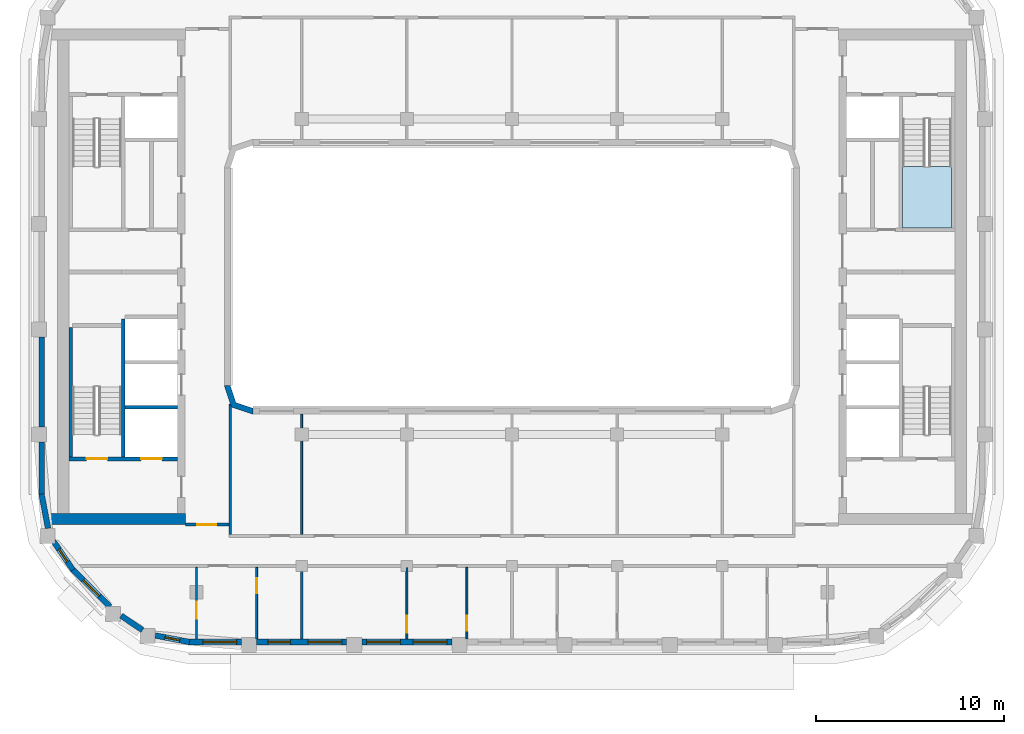
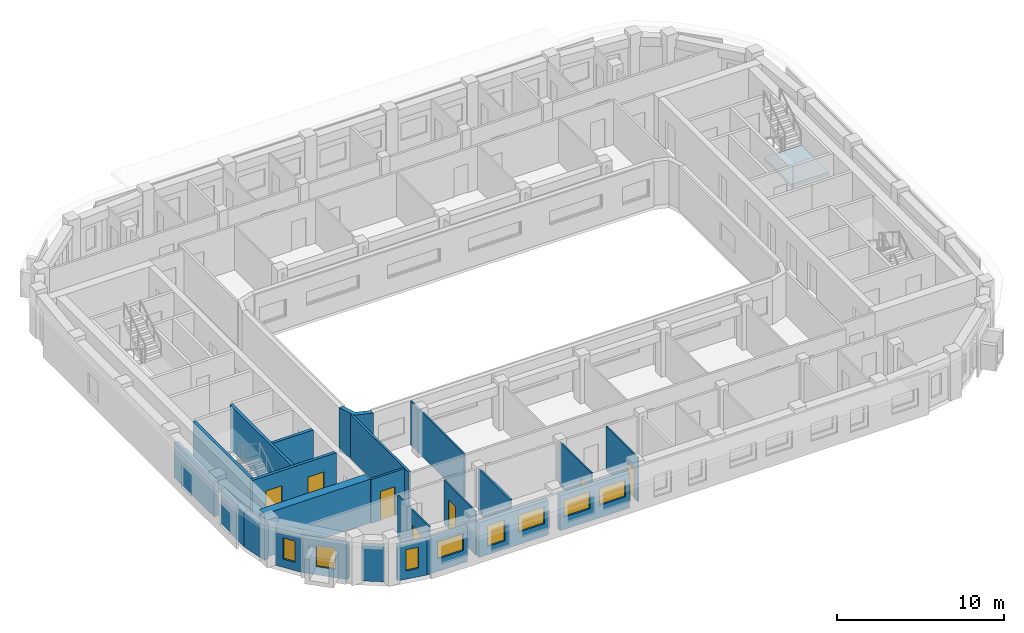
# One storey, part 2 of 15: 24 walls, 8 windows, 7 doors, 1 slab, 15 openings, 1 element without a shape of its own.
"""IFC4 building model written with IfcOpenShell, lengths in metres."""

from ifc_helpers import new_model, si_unit, direction, frame, frame_2d, origin, place, context, subcontext, project, spatial, polyline, rectangle, outline, extrude, material, layer, layer_set, type_object, element, fill, aggregate, save


model = new_model("IFC4")

# Units and contexts
model_context = context("Model", 3, precision=1e-05, world=origin(), true_north=direction((0.0, 1.0)))
body_context = subcontext(model_context, "Body", "Model", "MODEL_VIEW")
ifc_project = project(units=[si_unit("LENGTHUNIT", "METRE"), si_unit("AREAUNIT", "SQUARE_METRE"), si_unit("VOLUMEUNIT", "CUBIC_METRE"), si_unit("PLANEANGLEUNIT", "RADIAN"), si_unit("MASSUNIT", "GRAM", prefix="KILO")], contexts=[model_context])

# Site, building, storey
site_placement = place(None, origin())
site = spatial("IfcSite", under=ifc_project, at=site_placement, CompositionType="ELEMENT")
building_placement = place(site_placement, origin())
building = spatial("IfcBuilding", under=site, at=building_placement, Name="Kiln Ring Residences", CompositionType="ELEMENT")
storey_placement = place(building_placement, frame((0.0, 0.0, 252.199951171875)))
storey = spatial("IfcBuildingStorey", under=building, at=storey_placement, Name="L65", CompositionType="ELEMENT", Elevation=252.199951171875)

# Stair, slab
ifc_material_1 = material(Name="Concrete C40/50", Category="concrete")
stair_type = type_object("IfcStairType", Name="CORE-STAIR", PredefinedType="HALF_TURN_STAIR", material=ifc_material_1)
placement = place(storey_placement, origin())
stair = element("IfcStair", 1, at=placement, inside=storey, type_object=stair_type, Name="L65 stair E-STN", PredefinedType="HALF_TURN_STAIR")
ifc_material_2 = material(Name="Concrete C40/50", Category="concrete")
ifc_layer_1 = layer(ifc_material_2, 0.199951171875)
ifc_layer_set_1 = layer_set([ifc_layer_1], Name="CORE-STAIR-LANDING")
slab_type = type_object("IfcSlabType", Name="CORE-STAIR-LANDING", PredefinedType="LANDING", material=ifc_layer_set_1)
slab_placement = place(storey_placement, frame((0.0, 0.0, 1.550048828125)))
slab = element("IfcSlab", 2, at=slab_placement, type_object=slab_type, Name="E-STN landing 1", PredefinedType="LANDING", context=body_context, shape_type="SweptSolid", body=[
    extrude(outline(polyline([(20.800048828125, 5.8798828125), (20.800048828125, 2.60009765625), (23.39990234375, 2.60009765625), (23.39990234375, 5.8798828125), (20.800048828125, 5.8798828125)])), origin(), (0.0, 0.0, 1.0), 0.199951171875),
])
aggregate(stair, [slab])

# Walls
ifc_material_3 = material(Name="Gypsum shaft wall system")
ifc_layer_2 = layer(ifc_material_3, 0.199951171875)
ifc_layer_set_2 = layer_set([ifc_layer_2], Name="CORE-SHAFT-WALL-200")
wall_type_1 = type_object("IfcWallType", Name="CORE-SHAFT-WALL-200", PredefinedType="PARTITIONING", material=ifc_layer_set_2)
wall_1_placement = place(storey_placement, frame((-17.800048828125, -6.949951171875, 0.0), z_axis=(0.0, 0.0, 1.0), x_axis=(-1.0, 0.0, 0.0)))
element("IfcWall", 3, at=wall_1_placement, inside=storey, type_object=wall_type_1, Name="Core partition west L65 3", PredefinedType="PARTITIONING", context=body_context, shape_type="SweptSolid", body=[
    extrude(rectangle(XDim=2.800048828125, YDim=0.199951171875, at=frame_2d((1.39990234375, 0.0))), origin(), (0.0, 0.0, 1.0), 3.199951171875),
])
ifc_material_4 = material(Name="Concrete C40/50", Category="concrete")
ifc_layer_3 = layer(ifc_material_4, 0.199951171875)
ifc_layer_set_3 = layer_set([ifc_layer_3], Name="CORE-WALL-RC200")
wall_type_2 = type_object("IfcWallType", Name="CORE-WALL-RC200", PredefinedType="SHEAR", material=ifc_layer_set_3)
wall_2_placement = place(storey_placement, frame((-20.699951171875, -9.60009765625, 0.0), z_axis=(0.0, 0.0, 1.0), x_axis=(0.0, 1.0, 0.0)))
element("IfcWall", 4, at=wall_2_placement, inside=storey, type_object=wall_type_2, Name="Core wall west L65 2", PredefinedType="SHEAR", context=body_context, shape_type="SweptSolid", body=[
    extrude(rectangle(XDim=7.35009765625, YDim=0.199951171875, at=frame_2d((3.675048828125, 0.0))), origin(), (0.0, 0.0, 1.0), 3.199951171875),
])

# Wall, openings, doors
wall_3_placement = place(storey_placement, frame((-17.800048828125, -9.699951171875, 0.0), z_axis=(0.0, 0.0, 1.0), x_axis=(-1.0, 0.0, 0.0)))
wall_3 = element("IfcWall", 5, at=wall_3_placement, inside=storey, type_object=wall_type_2, Name="Core wall west L65 8", PredefinedType="SHEAR", context=body_context, shape_type="SweptSolid", body=[
    extrude(rectangle(XDim=5.800048828125, YDim=0.199951171875, at=frame_2d((2.89990234375, 0.0))), origin(), (0.0, 0.0, 1.0), 3.199951171875),
])
opening_1_placement = place(wall_3_placement, frame((0.85009765625, 0.0, 0.0)))
opening_1 = element("IfcOpeningElement", 6, at=opening_1_placement, cuts=wall_3, Name="Opening L65-CW01", PredefinedType="OPENING", context=body_context, shape_type="SweptSolid", body=[
    extrude(rectangle(XDim=1.10009765625, YDim=2.10009765625, at=frame_2d((0.550048828125, 1.050048828125))), frame((0.0, 0.10986328125, 0.0), z_axis=(0.0, -1.0, 0.0), x_axis=(1.0, 0.0, 0.0)), (0.0, 0.0, 1.0), 0.219970703125),
])
opening_2_placement = place(wall_3_placement, frame((3.75, 0.0, 0.0)))
opening_2 = element("IfcOpeningElement", 7, at=opening_2_placement, cuts=wall_3, Name="Opening L65-CW11", PredefinedType="OPENING", context=body_context, shape_type="SweptSolid", body=[
    extrude(rectangle(XDim=1.10009765625, YDim=2.10009765625, at=frame_2d((0.550048828125, 1.050048828125))), frame((0.0, 0.10986328125, 0.0), z_axis=(0.0, -1.0, 0.0), x_axis=(1.0, 0.0, 0.0)), (0.0, 0.0, 1.0), 0.219970703125),
])
ifc_material_5 = material(Name="Steel door leaf", Category="steel")
door_type_1 = type_object("IfcDoorType", Name="CORE-DOOR-LD", OperationType="DOUBLE_DOOR_SLIDING", PredefinedType="DOOR", material=ifc_material_5)
door_1_placement = place(opening_1_placement, origin())
door_1 = element("IfcDoor", 8, at=door_1_placement, inside=storey, type_object=door_type_1, Name="LD W-SV L65-CW01", OperationType="DOUBLE_DOOR_SLIDING", OverallHeight=2.10009765625, OverallWidth=1.10009765625, PredefinedType="DOOR", context=body_context, shape_type="SweptSolid", body=[
    extrude(rectangle(XDim=1.10009765625, YDim=2.10009765625, at=frame_2d((0.550048828125, 1.050048828125))), frame((0.0, 0.02490234375, 0.0), z_axis=(0.0, -1.0, 0.0), x_axis=(1.0, 0.0, 0.0)), (0.0, 0.0, 1.0), 0.050048828125),
])
fill(opening_1, door_1)
ifc_material_6 = material(Name="Steel door leaf", Category="steel")
door_type_2 = type_object("IfcDoorType", Name="CORE-DOOR-STAIR", OperationType="SINGLE_SWING_LEFT", PredefinedType="DOOR", material=ifc_material_6)
door_2_placement = place(opening_2_placement, origin())
door_2 = element("IfcDoor", 9, at=door_2_placement, inside=storey, type_object=door_type_2, Name="Stair W-STS L65-CW11", OperationType="SINGLE_SWING_RIGHT", OverallHeight=2.10009765625, OverallWidth=1.10009765625, PredefinedType="DOOR", context=body_context, shape_type="SweptSolid", body=[
    extrude(rectangle(XDim=1.10009765625, YDim=2.10009765625, at=frame_2d((0.550048828125, 1.050048828125))), frame((0.0, 0.02490234375, 0.0), z_axis=(0.0, -1.0, 0.0), x_axis=(1.0, 0.0, 0.0)), (0.0, 0.0, 1.0), 0.050048828125),
])
fill(opening_2, door_2)

# Walls
wall_4_placement = place(storey_placement, frame((-23.5, -9.60009765625, 0.0), z_axis=(0.0, 0.0, 1.0), x_axis=(0.0, 1.0, 0.0)))
element("IfcWall", 10, at=wall_4_placement, inside=storey, type_object=wall_type_2, Name="Core wall west L65 11", PredefinedType="SHEAR", context=body_context, shape_type="SweptSolid", body=[
    extrude(rectangle(XDim=6.900146484375, YDim=0.199951171875, at=frame_2d((3.4501953125, 0.0))), origin(), (0.0, 0.0, 1.0), 3.199951171875),
])
ifc_material_7 = material(Name="Concrete C60/75", Category="concrete")
ifc_layer_4 = layer(ifc_material_7, 0.60009765625)
ifc_layer_set_4 = layer_set([ifc_layer_4], Name="CORE-WALL-RC600")
wall_type_3 = type_object("IfcWallType", Name="CORE-WALL-RC600", PredefinedType="SHEAR", material=ifc_layer_set_4)
wall_5_placement = place(storey_placement, frame((-17.39990234375, -12.89990234375, 0.0), z_axis=(0.0, 0.0, 1.0), x_axis=(-1.0, 0.0, 0.0)))
element("IfcWall", 11, at=wall_5_placement, inside=storey, type_object=wall_type_3, Name="Core wall west L65 5", PredefinedType="SHEAR", context=body_context, shape_type="SweptSolid", body=[
    extrude(rectangle(XDim=7.320068359375, YDim=0.60009765625, at=frame_2d((3.66015625, 0.0))), origin(), (0.0, 0.0, 1.0), 3.199951171875),
])

# Wall, opening, window
ifc_material_8 = material(Name="Brick masonry, dark clay brick", Category="masonry")
ifc_layer_5 = layer(ifc_material_8, 0.300048828125)
ifc_layer_set_5 = layer_set([ifc_layer_5], Name="EW-300 BRICK WALL")
wall_type_4 = type_object("IfcWallType", Name="EW-300 BRICK WALL", PredefinedType="SOLIDWALL", material=ifc_layer_set_5)
wall_6_placement = place(storey_placement, frame((-23.39697265625, -15.591064453125, 0.0), z_axis=(0.0, 0.0, 1.0), x_axis=(0.707150377276, -0.707063182409, 0.0)))
wall_6 = element("IfcWall", 12, at=wall_6_placement, inside=storey, type_object=wall_type_4, Name="Facade wall L65 1", PredefinedType="SOLIDWALL", context=body_context, shape_type="SweptSolid", body=[
    extrude(rectangle(XDim=2.800048828125, YDim=0.300048828125, at=frame_2d((1.39990234375, 0.0))), origin(), (0.0, 0.0, 1.0), 2.550048828125),
])
opening_3_placement = place(wall_6_placement, frame((0.800048828125, 0.0, 0.60009765625)))
opening_3 = element("IfcOpeningElement", 13, at=opening_3_placement, cuts=wall_6, Name="Opening W1", PredefinedType="OPENING", context=body_context, shape_type="SweptSolid", body=[
    extrude(rectangle(XDim=1.199951171875, YDim=1.550048828125, at=frame_2d((0.60009765625, 0.77490234375))), frame((0.0, 0.159912109375, 0.0), z_axis=(0.0, -1.0, 0.0), x_axis=(1.0, 0.0, 0.0)), (0.0, 0.0, 1.0), 0.320068359375),
])
ifc_material_9 = material(Name="Aluminium frame with double glazing", Category="aluminium")
window_type_1 = type_object("IfcWindowType", Name="WINDOW 1200 x 1550", PartitioningType="SINGLE_PANEL", PredefinedType="WINDOW", material=ifc_material_9)
window_1_placement = place(opening_3_placement, origin())
window_1 = element("IfcWindow", 14, at=window_1_placement, inside=storey, type_object=window_type_1, Name="Window L65 1", OverallHeight=1.550048828125, OverallWidth=1.199951171875, PartitioningType="SINGLE_PANEL", PredefinedType="WINDOW", context=body_context, shape_type="SweptSolid", body=[
    extrude(rectangle(XDim=1.199951171875, YDim=1.550048828125, at=frame_2d((0.60009765625, 0.77490234375))), frame((0.0, 0.030029296875, 0.0), z_axis=(0.0, -1.0, 0.0), x_axis=(1.0, 0.0, 0.0)), (0.0, 0.0, 1.0), 0.06005859375),
])
fill(opening_3, window_1)

# Wall
wall_7_placement = place(storey_placement, frame((-20.816650390625, -18.048095703125, 0.0), z_axis=(0.0, 0.0, 1.0), x_axis=(0.827025410886, -0.562164539747, 0.0)))
element("IfcWall", 15, at=wall_7_placement, inside=storey, type_object=wall_type_4, Name="Facade wall L65 2", PredefinedType="SOLIDWALL", context=body_context, shape_type="SweptSolid", body=[
    extrude(rectangle(XDim=1.377197265625, YDim=0.300048828125, at=frame_2d((0.6884765625, 0.0))), origin(), (0.0, 0.0, 1.0), 2.550048828125),
])

# Wall, opening, window
wall_8_placement = place(storey_placement, frame((-18.9951171875, -19.10498046875, 0.0), z_axis=(0.0, 0.0, 1.0), x_axis=(0.982301706131, -0.187305520826, 0.0)))
wall_8 = element("IfcWall", 16, at=wall_8_placement, inside=storey, type_object=wall_type_4, Name="Facade wall L65 3", PredefinedType="SOLIDWALL", context=body_context, shape_type="SweptSolid", body=[
    extrude(rectangle(XDim=1.856201171875, YDim=0.300048828125, at=frame_2d((0.92822265625, 0.0))), origin(), (0.0, 0.0, 1.0), 2.550048828125),
])
opening_4_placement = place(wall_8_placement, frame((0.528076171875, 0.0, 0.60009765625)))
opening_4 = element("IfcOpeningElement", 17, at=opening_4_placement, cuts=wall_8, Name="Opening W5", PredefinedType="OPENING", context=body_context, shape_type="SweptSolid", body=[
    extrude(rectangle(XDim=0.800048828125, YDim=1.550048828125, at=frame_2d((0.39990234375, 0.77490234375))), frame((0.0, 0.159912109375, 0.0), z_axis=(0.0, -1.0, 0.0), x_axis=(1.0, 0.0, 0.0)), (0.0, 0.0, 1.0), 0.320068359375),
])
ifc_material_10 = material(Name="Aluminium frame with double glazing", Category="aluminium")
window_type_2 = type_object("IfcWindowType", Name="WINDOW 800 x 1550", PartitioningType="SINGLE_PANEL", PredefinedType="WINDOW", material=ifc_material_10)
window_2_placement = place(opening_4_placement, origin())
window_2 = element("IfcWindow", 18, at=window_2_placement, inside=storey, type_object=window_type_2, Name="Window L65 2", OverallHeight=1.550048828125, OverallWidth=0.800048828125, PartitioningType="SINGLE_PANEL", PredefinedType="WINDOW", context=body_context, shape_type="SweptSolid", body=[
    extrude(rectangle(XDim=0.800048828125, YDim=1.550048828125, at=frame_2d((0.39990234375, 0.77490234375))), frame((0.0, 0.030029296875, 0.0), z_axis=(0.0, -1.0, 0.0), x_axis=(1.0, 0.0, 0.0)), (0.0, 0.0, 1.0), 0.06005859375),
])
fill(opening_4, window_2)

wall_9_placement = place(storey_placement, frame((-17.199951171875, -19.449951171875, 0.0), z_axis=(0.0, 0.0, 1.0), x_axis=(1.0, 0.0, 0.0)))
wall_9 = element("IfcWall", 19, at=wall_9_placement, inside=storey, type_object=wall_type_4, Name="Facade wall L65 4", PredefinedType="SOLIDWALL", context=body_context, shape_type="SweptSolid", body=[
    extrude(rectangle(XDim=2.800048828125, YDim=0.300048828125, at=frame_2d((1.39990234375, 0.0))), origin(), (0.0, 0.0, 1.0), 2.550048828125),
])
opening_5_placement = place(wall_9_placement, frame((0.737548828125, 0.0, 0.89990234375)))
opening_5 = element("IfcOpeningElement", 20, at=opening_5_placement, cuts=wall_9, Name="Opening W2", PredefinedType="OPENING", context=body_context, shape_type="SweptSolid", body=[
    extrude(rectangle(XDim=1.800048828125, YDim=1.25, at=frame_2d((0.89990234375, 0.625))), frame((0.0, 0.159912109375, 0.0), z_axis=(0.0, -1.0, 0.0), x_axis=(1.0, 0.0, 0.0)), (0.0, 0.0, 1.0), 0.320068359375),
])
ifc_material_11 = material(Name="Aluminium frame with double glazing", Category="aluminium")
window_type_3 = type_object("IfcWindowType", Name="WINDOW 1800 x 1250", PartitioningType="SINGLE_PANEL", PredefinedType="WINDOW", material=ifc_material_11)
window_3_placement = place(opening_5_placement, origin())
window_3 = element("IfcWindow", 21, at=window_3_placement, inside=storey, type_object=window_type_3, Name="Window L65 3", OverallHeight=1.25, OverallWidth=1.800048828125, PartitioningType="SINGLE_PANEL", PredefinedType="WINDOW", context=body_context, shape_type="SweptSolid", body=[
    extrude(rectangle(XDim=1.800048828125, YDim=1.25, at=frame_2d((0.89990234375, 0.625))), frame((0.0, 0.030029296875, 0.0), z_axis=(0.0, -1.0, 0.0), x_axis=(1.0, 0.0, 0.0)), (0.0, 0.0, 1.0), 0.06005859375),
])
fill(opening_5, window_3)

# Wall, openings, windows
wall_10_placement = place(storey_placement, frame((-13.60009765625, -19.449951171875, 0.0), z_axis=(0.0, 0.0, 1.0), x_axis=(1.0, 0.0, 0.0)))
wall_10 = element("IfcWall", 22, at=wall_10_placement, inside=storey, type_object=wall_type_4, Name="Facade wall L65 5", PredefinedType="SOLIDWALL", context=body_context, shape_type="SweptSolid", body=[
    extrude(rectangle(XDim=4.800048828125, YDim=0.300048828125, at=frame_2d((2.39990234375, 0.0))), origin(), (0.0, 0.0, 1.0), 2.550048828125),
])
opening_6_placement = place(wall_10_placement, frame((0.60009765625, 0.0, 0.60009765625)))
opening_6 = element("IfcOpeningElement", 23, at=opening_6_placement, cuts=wall_10, Name="Opening W1", PredefinedType="OPENING", context=body_context, shape_type="SweptSolid", body=[
    extrude(rectangle(XDim=1.199951171875, YDim=1.550048828125, at=frame_2d((0.60009765625, 0.77490234375))), frame((0.0, 0.159912109375, 0.0), z_axis=(0.0, -1.0, 0.0), x_axis=(1.0, 0.0, 0.0)), (0.0, 0.0, 1.0), 0.320068359375),
])
opening_7_placement = place(wall_10_placement, frame((2.737548828125, 0.0, 0.89990234375)))
opening_7 = element("IfcOpeningElement", 24, at=opening_7_placement, cuts=wall_10, Name="Opening W2", PredefinedType="OPENING", context=body_context, shape_type="SweptSolid", body=[
    extrude(rectangle(XDim=1.800048828125, YDim=1.25, at=frame_2d((0.89990234375, 0.625))), frame((0.0, 0.159912109375, 0.0), z_axis=(0.0, -1.0, 0.0), x_axis=(1.0, 0.0, 0.0)), (0.0, 0.0, 1.0), 0.320068359375),
])
window_4_placement = place(opening_6_placement, origin())
window_4 = element("IfcWindow", 25, at=window_4_placement, inside=storey, type_object=window_type_1, Name="Window L65 4", OverallHeight=1.550048828125, OverallWidth=1.199951171875, PartitioningType="SINGLE_PANEL", PredefinedType="WINDOW", context=body_context, shape_type="SweptSolid", body=[
    extrude(rectangle(XDim=1.199951171875, YDim=1.550048828125, at=frame_2d((0.60009765625, 0.77490234375))), frame((0.0, 0.030029296875, 0.0), z_axis=(0.0, -1.0, 0.0), x_axis=(1.0, 0.0, 0.0)), (0.0, 0.0, 1.0), 0.06005859375),
])
fill(opening_6, window_4)
window_5_placement = place(opening_7_placement, origin())
window_5 = element("IfcWindow", 26, at=window_5_placement, inside=storey, type_object=window_type_3, Name="Window L65 5", OverallHeight=1.25, OverallWidth=1.800048828125, PartitioningType="SINGLE_PANEL", PredefinedType="WINDOW", context=body_context, shape_type="SweptSolid", body=[
    extrude(rectangle(XDim=1.800048828125, YDim=1.25, at=frame_2d((0.89990234375, 0.625))), frame((0.0, 0.030029296875, 0.0), z_axis=(0.0, -1.0, 0.0), x_axis=(1.0, 0.0, 0.0)), (0.0, 0.0, 1.0), 0.06005859375),
])
fill(opening_7, window_5)

wall_11_placement = place(storey_placement, frame((-8.0, -19.449951171875, 0.0), z_axis=(0.0, 0.0, 1.0), x_axis=(1.0, 0.0, 0.0)))
wall_11 = element("IfcWall", 27, at=wall_11_placement, inside=storey, type_object=wall_type_4, Name="Facade wall L65 6", PredefinedType="SOLIDWALL", context=body_context, shape_type="SweptSolid", body=[
    extrude(rectangle(XDim=4.800048828125, YDim=0.300048828125, at=frame_2d((2.39990234375, 0.0))), origin(), (0.0, 0.0, 1.0), 2.550048828125),
])
opening_8_placement = place(wall_11_placement, frame((0.262451171875, 0.0, 0.89990234375)))
opening_8 = element("IfcOpeningElement", 28, at=opening_8_placement, cuts=wall_11, Name="Opening W2", PredefinedType="OPENING", context=body_context, shape_type="SweptSolid", body=[
    extrude(rectangle(XDim=1.800048828125, YDim=1.25, at=frame_2d((0.89990234375, 0.625))), frame((0.0, 0.159912109375, 0.0), z_axis=(0.0, -1.0, 0.0), x_axis=(1.0, 0.0, 0.0)), (0.0, 0.0, 1.0), 0.320068359375),
])
opening_9_placement = place(wall_11_placement, frame((2.737548828125, 0.0, 0.89990234375)))
opening_9 = element("IfcOpeningElement", 29, at=opening_9_placement, cuts=wall_11, Name="Opening W2", PredefinedType="OPENING", context=body_context, shape_type="SweptSolid", body=[
    extrude(rectangle(XDim=1.800048828125, YDim=1.25, at=frame_2d((0.89990234375, 0.625))), frame((0.0, 0.159912109375, 0.0), z_axis=(0.0, -1.0, 0.0), x_axis=(1.0, 0.0, 0.0)), (0.0, 0.0, 1.0), 0.320068359375),
])
window_6_placement = place(opening_8_placement, origin())
window_6 = element("IfcWindow", 30, at=window_6_placement, inside=storey, type_object=window_type_3, Name="Window L65 6", OverallHeight=1.25, OverallWidth=1.800048828125, PartitioningType="SINGLE_PANEL", PredefinedType="WINDOW", context=body_context, shape_type="SweptSolid", body=[
    extrude(rectangle(XDim=1.800048828125, YDim=1.25, at=frame_2d((0.89990234375, 0.625))), frame((0.0, 0.030029296875, 0.0), z_axis=(0.0, -1.0, 0.0), x_axis=(1.0, 0.0, 0.0)), (0.0, 0.0, 1.0), 0.06005859375),
])
fill(opening_8, window_6)
window_7_placement = place(opening_9_placement, origin())
window_7 = element("IfcWindow", 31, at=window_7_placement, inside=storey, type_object=window_type_3, Name="Window L65 7", OverallHeight=1.25, OverallWidth=1.800048828125, PartitioningType="SINGLE_PANEL", PredefinedType="WINDOW", context=body_context, shape_type="SweptSolid", body=[
    extrude(rectangle(XDim=1.800048828125, YDim=1.25, at=frame_2d((0.89990234375, 0.625))), frame((0.0, 0.030029296875, 0.0), z_axis=(0.0, -1.0, 0.0), x_axis=(1.0, 0.0, 0.0)), (0.0, 0.0, 1.0), 0.06005859375),
])
fill(opening_9, window_7)

# Walls
wall_12_placement = place(storey_placement, frame((-25.050048828125, -3.199951171875, 0.0), z_axis=(0.0, 0.0, 1.0), x_axis=(0.0, -1.0, 0.0)))
element("IfcWall", 32, at=wall_12_placement, inside=storey, type_object=wall_type_4, Name="Facade wall L65 41", PredefinedType="SOLIDWALL", context=body_context, shape_type="SweptSolid", body=[
    extrude(rectangle(XDim=4.800048828125, YDim=0.300048828125, at=frame_2d((2.39990234375, 0.0))), origin(), (0.0, 0.0, 1.0), 2.550048828125),
])
wall_13_placement = place(storey_placement, frame((-25.050048828125, -8.800048828125, 0.0), z_axis=(0.0, 0.0, 1.0), x_axis=(0.0, -1.0, 0.0)))
element("IfcWall", 33, at=wall_13_placement, inside=storey, type_object=wall_type_4, Name="Facade wall L65 42", PredefinedType="SOLIDWALL", context=body_context, shape_type="SweptSolid", body=[
    extrude(rectangle(XDim=2.800048828125, YDim=0.300048828125, at=frame_2d((1.39990234375, 0.0))), origin(), (0.0, 0.0, 1.0), 2.550048828125),
])
wall_14_placement = place(storey_placement, frame((-25.052734375, -11.57177734375, 0.0), z_axis=(0.0, 0.0, 1.0), x_axis=(0.187408222942, -0.982282117303, 0.0)))
element("IfcWall", 34, at=wall_14_placement, inside=storey, type_object=wall_type_4, Name="Facade wall L65 43", PredefinedType="SOLIDWALL", context=body_context, shape_type="SweptSolid", body=[
    extrude(rectangle(XDim=1.8564453125, YDim=0.300048828125, at=frame_2d((0.92822265625, 0.0))), origin(), (0.0, 0.0, 1.0), 2.550048828125),
])

# Wall, opening, window
wall_15_placement = place(storey_placement, frame((-24.422119140625, -14.07763671875, 0.0), z_axis=(0.0, 0.0, 1.0), x_axis=(0.562054549384, -0.827100165347, 0.0)))
wall_15 = element("IfcWall", 35, at=wall_15_placement, inside=storey, type_object=wall_type_4, Name="Facade wall L65 44", PredefinedType="SOLIDWALL", context=body_context, shape_type="SweptSolid", body=[
    extrude(rectangle(XDim=1.85595703125, YDim=0.300048828125, at=frame_2d((0.927978515625, 0.0))), origin(), (0.0, 0.0, 1.0), 2.550048828125),
])
opening_10_placement = place(wall_15_placement, frame((0.528076171875, 0.0, 0.60009765625)))
opening_10 = element("IfcOpeningElement", 36, at=opening_10_placement, cuts=wall_15, Name="Opening W5", PredefinedType="OPENING", context=body_context, shape_type="SweptSolid", body=[
    extrude(rectangle(XDim=0.800048828125, YDim=1.550048828125, at=frame_2d((0.39990234375, 0.77490234375))), frame((0.0, 0.159912109375, 0.0), z_axis=(0.0, -1.0, 0.0), x_axis=(1.0, 0.0, 0.0)), (0.0, 0.0, 1.0), 0.320068359375),
])
window_8_placement = place(opening_10_placement, origin())
window_8 = element("IfcWindow", 37, at=window_8_placement, inside=storey, type_object=window_type_2, Name="Window L65 36", OverallHeight=1.550048828125, OverallWidth=0.800048828125, PartitioningType="SINGLE_PANEL", PredefinedType="WINDOW", context=body_context, shape_type="SweptSolid", body=[
    extrude(rectangle(XDim=0.800048828125, YDim=1.550048828125, at=frame_2d((0.39990234375, 0.77490234375))), frame((0.0, 0.030029296875, 0.0), z_axis=(0.0, -1.0, 0.0), x_axis=(1.0, 0.0, 0.0)), (0.0, 0.0, 1.0), 0.06005859375),
])
fill(opening_10, window_8)

# Wall
element("IfcWall", 38, at=placement, inside=storey, type_object=wall_type_4, Name="Corner wall L65 4", PredefinedType="SOLIDWALL", context=body_context, shape_type="SweptSolid", body=[
    extrude(outline(polyline([(-14.937255859375, -6.937255859375), (-13.8486328125, -7.300048828125), (-13.800048828125, -7.300048828125), (-13.800048828125, -7.0), (-14.699951171875, -6.699951171875), (-15.0, -5.800048828125), (-15.300048828125, -5.800048828125), (-15.300048828125, -5.8486328125), (-14.937255859375, -6.937255859375)])), origin(), (0.0, 0.0, 1.0), 3.199951171875),
])

# Wall, opening, door
ifc_material_12 = material(Name="Gypsum board on steel studs", Category="steel")
ifc_layer_6 = layer(ifc_material_12, 0.10009765625)
ifc_layer_set_6 = layer_set([ifc_layer_6], Name="PARTITION-100")
wall_type_5 = type_object("IfcWallType", Name="PARTITION-100", PredefinedType="PARTITIONING", material=ifc_layer_set_6)
wall_17_placement = place(storey_placement, frame((-16.800048828125, -19.280029296875, 0.0), z_axis=(0.0, 0.0, 1.0), x_axis=(0.0, 1.0, 0.0)))
wall_17 = element("IfcWall", 39, at=wall_17_placement, inside=storey, type_object=wall_type_5, Name="Partition 008", PredefinedType="PARTITIONING", context=body_context, shape_type="SweptSolid", body=[
    extrude(rectangle(XDim=3.804931640625, YDim=0.10009765625, at=frame_2d((1.90234375, 0.0))), origin(), (0.0, 0.0, 1.0), 3.199951171875),
])
opening_11_placement = place(wall_17_placement, frame((1.0791015625, 0.0, 0.0)))
opening_11 = element("IfcOpeningElement", 40, at=opening_11_placement, cuts=wall_17, Name="Opening L65-D031", PredefinedType="OPENING", context=body_context, shape_type="SweptSolid", body=[
    extrude(rectangle(XDim=0.89990234375, YDim=2.10009765625, at=frame_2d((0.449951171875, 1.050048828125))), frame((0.0, 0.06005859375, 0.0), z_axis=(0.0, -1.0, 0.0), x_axis=(1.0, 0.0, 0.0)), (0.0, 0.0, 1.0), 0.1201171875),
])
ifc_material_13 = material(Name="Timber door leaf", Category="wood")
door_type_3 = type_object("IfcDoorType", Name="FLAT-DOOR-900-PL", OperationType="SINGLE_SWING_LEFT", PredefinedType="DOOR", material=ifc_material_13)
door_3_placement = place(opening_11_placement, origin())
door_3 = element("IfcDoor", 41, at=door_3_placement, inside=storey, type_object=door_type_3, Name="Door L65-D031", OperationType="SINGLE_SWING_RIGHT", OverallHeight=2.10009765625, OverallWidth=0.89990234375, PredefinedType="DOOR", context=body_context, shape_type="SweptSolid", body=[
    extrude(rectangle(XDim=0.89990234375, YDim=2.10009765625, at=frame_2d((0.449951171875, 1.050048828125))), frame((0.0, 0.02490234375, 0.0), z_axis=(0.0, -1.0, 0.0), x_axis=(1.0, 0.0, 0.0)), (0.0, 0.0, 1.0), 0.050048828125),
])
fill(opening_11, door_3)

wall_18_placement = place(storey_placement, frame((-13.60009765625, -19.280029296875, 0.0), z_axis=(0.0, 0.0, 1.0), x_axis=(0.0, 1.0, 0.0)))
wall_18 = element("IfcWall", 42, at=wall_18_placement, inside=storey, type_object=wall_type_5, Name="Partition 012", PredefinedType="PARTITIONING", context=body_context, shape_type="SweptSolid", body=[
    extrude(rectangle(XDim=3.804931640625, YDim=0.10009765625, at=frame_2d((1.90234375, 0.0))), origin(), (0.0, 0.0, 1.0), 3.199951171875),
])
opening_12_placement = place(wall_18_placement, frame((2.419921875, 0.0, 0.0)))
opening_12 = element("IfcOpeningElement", 43, at=opening_12_placement, cuts=wall_18, Name="Opening L65-D030", PredefinedType="OPENING", context=body_context, shape_type="SweptSolid", body=[
    extrude(rectangle(XDim=0.800048828125, YDim=2.10009765625, at=frame_2d((0.39990234375, 1.050048828125))), frame((0.0, 0.06005859375, 0.0), z_axis=(0.0, -1.0, 0.0), x_axis=(1.0, 0.0, 0.0)), (0.0, 0.0, 1.0), 0.1201171875),
])
ifc_material_14 = material(Name="Timber door leaf", Category="wood")
door_type_4 = type_object("IfcDoorType", Name="FLAT-DOOR-800-PL", OperationType="SINGLE_SWING_LEFT", PredefinedType="DOOR", material=ifc_material_14)
door_4_placement = place(opening_12_placement, origin())
door_4 = element("IfcDoor", 44, at=door_4_placement, inside=storey, type_object=door_type_4, Name="Door L65-D030", OperationType="SINGLE_SWING_RIGHT", OverallHeight=2.10009765625, OverallWidth=0.800048828125, PredefinedType="DOOR", context=body_context, shape_type="SweptSolid", body=[
    extrude(rectangle(XDim=0.800048828125, YDim=2.10009765625, at=frame_2d((0.39990234375, 1.050048828125))), frame((0.0, 0.02490234375, 0.0), z_axis=(0.0, -1.0, 0.0), x_axis=(1.0, 0.0, 0.0)), (0.0, 0.0, 1.0), 0.050048828125),
])
fill(opening_12, door_4)

# Wall
wall_19_placement = place(storey_placement, frame((-11.199951171875, -13.72509765625, 0.0), z_axis=(0.0, 0.0, 1.0), x_axis=(0.0, 1.0, 0.0)))
element("IfcWall", 45, at=wall_19_placement, inside=storey, type_object=wall_type_5, Name="Partition 014", PredefinedType="PARTITIONING", context=body_context, shape_type="SweptSolid", body=[
    extrude(rectangle(XDim=6.405029296875, YDim=0.10009765625, at=frame_2d((3.20263671875, 0.0))), origin(), (0.0, 0.0, 1.0), 3.199951171875),
])

# Wall, opening, door
wall_20_placement = place(storey_placement, frame((-5.60009765625, -19.280029296875, 0.0), z_axis=(0.0, 0.0, 1.0), x_axis=(0.0, 1.0, 0.0)))
wall_20 = element("IfcWall", 46, at=wall_20_placement, inside=storey, type_object=wall_type_5, Name="Partition 019", PredefinedType="PARTITIONING", context=body_context, shape_type="SweptSolid", body=[
    extrude(rectangle(XDim=3.804931640625, YDim=0.10009765625, at=frame_2d((1.90234375, 0.0))), origin(), (0.0, 0.0, 1.0), 3.199951171875),
])
opening_13_placement = place(wall_20_placement, frame((0.3291015625, 0.0, 0.0)))
opening_13 = element("IfcOpeningElement", 47, at=opening_13_placement, cuts=wall_20, Name="Opening L65-D034", PredefinedType="OPENING", context=body_context, shape_type="SweptSolid", body=[
    extrude(rectangle(XDim=0.89990234375, YDim=2.10009765625, at=frame_2d((0.449951171875, 1.050048828125))), frame((0.0, 0.06005859375, 0.0), z_axis=(0.0, -1.0, 0.0), x_axis=(1.0, 0.0, 0.0)), (0.0, 0.0, 1.0), 0.1201171875),
])
door_5_placement = place(opening_13_placement, origin())
door_5 = element("IfcDoor", 48, at=door_5_placement, inside=storey, type_object=door_type_3, Name="Door L65-D034", OperationType="SINGLE_SWING_RIGHT", OverallHeight=2.10009765625, OverallWidth=0.89990234375, PredefinedType="DOOR", context=body_context, shape_type="SweptSolid", body=[
    extrude(rectangle(XDim=0.89990234375, YDim=2.10009765625, at=frame_2d((0.449951171875, 1.050048828125))), frame((0.0, 0.02490234375, 0.0), z_axis=(0.0, -1.0, 0.0), x_axis=(1.0, 0.0, 0.0)), (0.0, 0.0, 1.0), 0.050048828125),
])
fill(opening_13, door_5)

wall_21_placement = place(storey_placement, frame((-2.39990234375, -19.280029296875, 0.0), z_axis=(0.0, 0.0, 1.0), x_axis=(0.0, 1.0, 0.0)))
wall_21 = element("IfcWall", 49, at=wall_21_placement, inside=storey, type_object=wall_type_5, Name="Partition 023", PredefinedType="PARTITIONING", context=body_context, shape_type="SweptSolid", body=[
    extrude(rectangle(XDim=3.804931640625, YDim=0.10009765625, at=frame_2d((1.90234375, 0.0))), origin(), (0.0, 0.0, 1.0), 3.199951171875),
])
opening_14_placement = place(wall_21_placement, frame((0.419921875, 0.0, 0.0)))
opening_14 = element("IfcOpeningElement", 50, at=opening_14_placement, cuts=wall_21, Name="Opening L65-D033", PredefinedType="OPENING", context=body_context, shape_type="SweptSolid", body=[
    extrude(rectangle(XDim=0.800048828125, YDim=2.10009765625, at=frame_2d((0.39990234375, 1.050048828125))), frame((0.0, 0.06005859375, 0.0), z_axis=(0.0, -1.0, 0.0), x_axis=(1.0, 0.0, 0.0)), (0.0, 0.0, 1.0), 0.1201171875),
])
door_6_placement = place(opening_14_placement, origin())
door_6 = element("IfcDoor", 51, at=door_6_placement, inside=storey, type_object=door_type_4, Name="Door L65-D033", OperationType="SINGLE_SWING_LEFT", OverallHeight=2.10009765625, OverallWidth=0.800048828125, PredefinedType="DOOR", context=body_context, shape_type="SweptSolid", body=[
    extrude(rectangle(XDim=0.800048828125, YDim=2.10009765625, at=frame_2d((0.39990234375, 1.050048828125))), frame((0.0, 0.02490234375, 0.0), z_axis=(0.0, -1.0, 0.0), x_axis=(1.0, 0.0, 0.0)), (0.0, 0.0, 1.0), 0.050048828125),
])
fill(opening_14, door_6)

ifc_material_15 = material(Name="Brick masonry partition", Category="masonry")
ifc_layer_7 = layer(ifc_material_15, 0.14990234375)
ifc_layer_set_7 = layer_set([ifc_layer_7], Name="PARTITION-150-ei60")
wall_type_6 = type_object("IfcWallType", Name="PARTITION-150-ei60", PredefinedType="PARTITIONING", material=ifc_layer_set_7)
wall_22_placement = place(storey_placement, frame((-17.39990234375, -13.199951171875, 0.0), z_axis=(0.0, 0.0, 1.0), x_axis=(1.0, 0.0, 0.0)))
wall_22 = element("IfcWall", 52, at=wall_22_placement, inside=storey, type_object=wall_type_6, Name="Partition 002", PredefinedType="PARTITIONING", context=body_context, shape_type="SweptSolid", body=[
    extrude(rectangle(XDim=2.324951171875, YDim=0.14990234375, at=frame_2d((1.16259765625, 0.0))), origin(), (0.0, 0.0, 1.0), 3.199951171875),
])
opening_15_placement = place(wall_22_placement, frame((0.64990234375, 0.0, 0.0)))
opening_15 = element("IfcOpeningElement", 53, at=opening_15_placement, cuts=wall_22, Name="Opening L65-D003", PredefinedType="OPENING", context=body_context, shape_type="SweptSolid", body=[
    extrude(rectangle(XDim=1.0, YDim=2.10009765625, at=frame_2d((0.5, 1.050048828125))), frame((0.0, 0.0849609375, 0.0), z_axis=(0.0, -1.0, 0.0), x_axis=(1.0, 0.0, 0.0)), (0.0, 0.0, 1.0), 0.169921875),
])
ifc_material_16 = material(Name="Steel faced fire door leaf", Category="steel")
door_type_5 = type_object("IfcDoorType", Name="FLAT-DOOR-1000-FR", OperationType="SINGLE_SWING_LEFT", PredefinedType="DOOR", material=ifc_material_16)
door_7_placement = place(opening_15_placement, origin())
door_7 = element("IfcDoor", 54, at=door_7_placement, inside=storey, type_object=door_type_5, Name="Door L65-D003", OperationType="SINGLE_SWING_RIGHT", OverallHeight=2.10009765625, OverallWidth=1.0, PredefinedType="DOOR", context=body_context, shape_type="SweptSolid", body=[
    extrude(rectangle(XDim=1.0, YDim=2.10009765625, at=frame_2d((0.5, 1.050048828125))), frame((0.0, 0.02490234375, 0.0), z_axis=(0.0, -1.0, 0.0), x_axis=(1.0, 0.0, 0.0)), (0.0, 0.0, 1.0), 0.050048828125),
])
fill(opening_15, door_7)

# Walls
wall_23_placement = place(storey_placement, frame((-15.0, -13.72509765625, 0.0), z_axis=(0.0, 0.0, 1.0), x_axis=(0.0, 1.0, 0.0)))
element("IfcWall", 55, at=wall_23_placement, inside=storey, type_object=wall_type_6, Name="Partition 010", PredefinedType="PARTITIONING", context=body_context, shape_type="SweptSolid", body=[
    extrude(rectangle(XDim=6.956298828125, YDim=0.14990234375, at=frame_2d((3.47802734375, 0.0))), origin(), (0.0, 0.0, 1.0), 3.199951171875),
])
wall_24_placement = place(storey_placement, frame((-11.199951171875, -19.280029296875, 0.0), z_axis=(0.0, 0.0, 1.0), x_axis=(0.0, 1.0, 0.0)))
element("IfcWall", 56, at=wall_24_placement, inside=storey, type_object=wall_type_6, Name="Partition 016", PredefinedType="PARTITIONING", context=body_context, shape_type="SweptSolid", body=[
    extrude(rectangle(XDim=3.804931640625, YDim=0.14990234375, at=frame_2d((1.90234375, 0.0))), origin(), (0.0, 0.0, 1.0), 3.199951171875),
])

save(model, "model.ifc")
